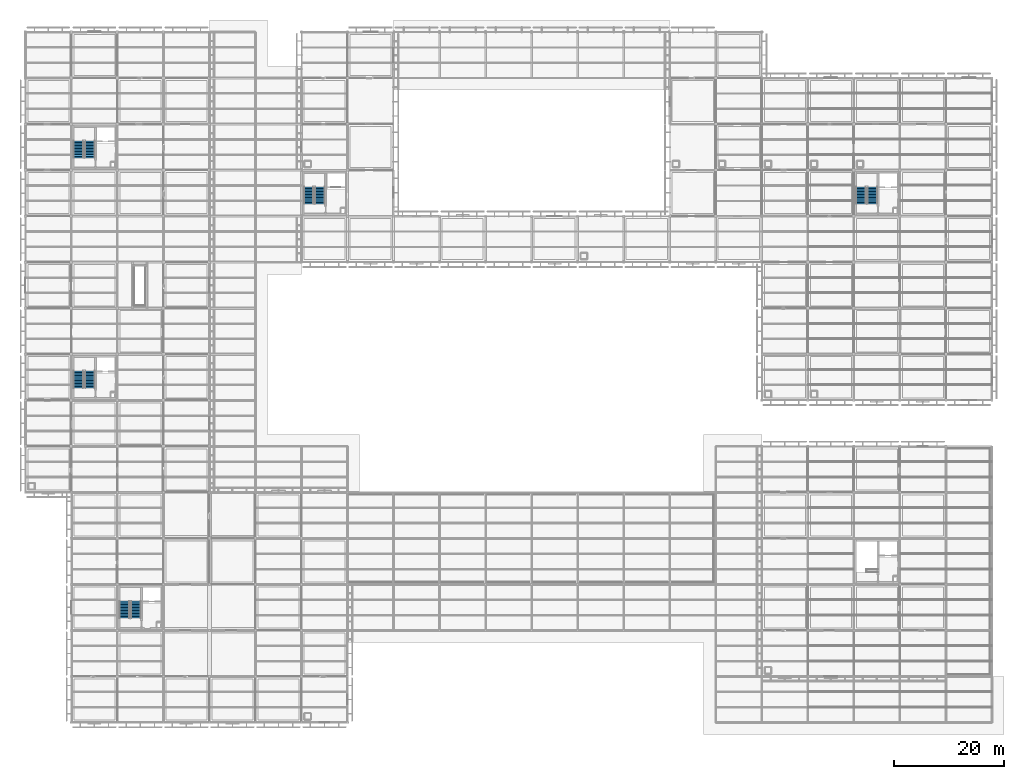
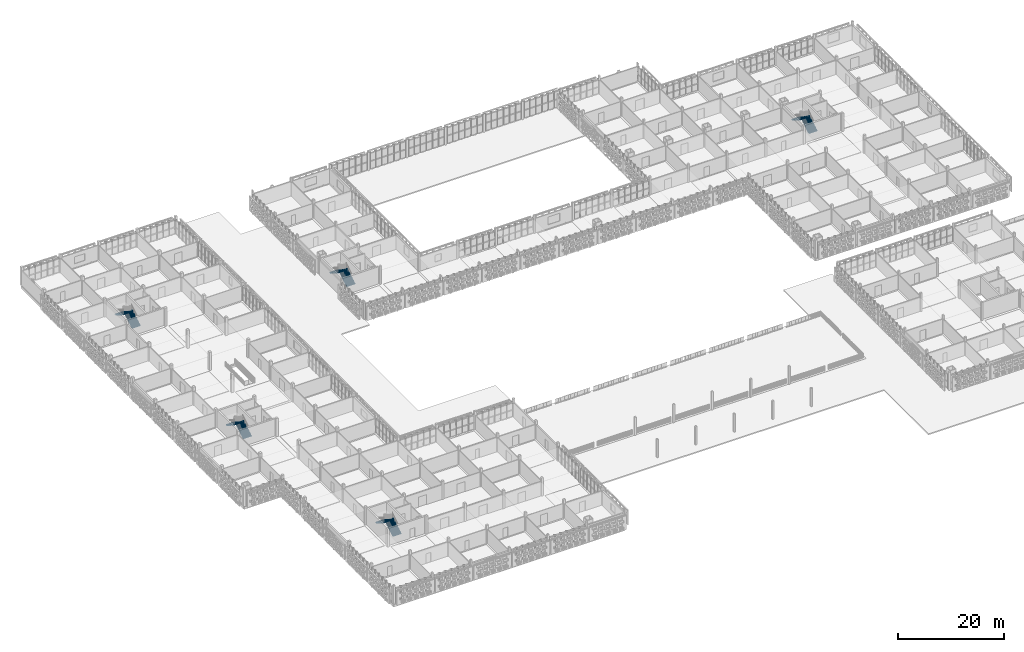
# One storey, part 108 of 166: 10 stair flights, 5 elements without a shape of their own.
"""IFC4 building model written with IfcOpenShell, lengths in metres."""

import ifcopenshell
import ifcopenshell.guid

model = None  # the IFC model being written
_history = None  # IfcOwnerHistory: only IFC2X3 demands one
_inside = {}  # id of a spatial element -> (the spatial element, [elements in it])
_under = {}  # id of a project, library or spatial element -> (it, [spatial elements below it])
_declared = {}  # id of a project -> (the project, [libraries it declares])
_typed = {}  # id of a type object -> (the type object, [elements of that type])
_made_of = {}  # id of a material, layer set ... -> (it, [elements and type objects made of it])


def new_model(schema):
    """Start an empty IFC model of exactly this schema.

    Asked for "IFC4X3", IfcOpenShell would pick the latest addendum, in which some entities
    have other attributes; the version numbers below select the first issue.
    IFC2X3 requires an IfcOwnerHistory on every rooted entity: one is made here for all.
    """
    global model, _history
    if schema == "IFC4X3":
        model = ifcopenshell.file(schema_version=(4, 3, 0, 0))
    else:
        model = ifcopenshell.file(schema=schema)
    _inside.clear()
    _under.clear()
    _declared.clear()
    _typed.clear()
    _made_of.clear()
    _history = None
    if model.schema == "IFC2X3":
        org = make("IfcOrganization", Name="unknown")
        user = make(
            "IfcPersonAndOrganization",
            ThePerson=make("IfcPerson", FamilyName="unknown"),
            TheOrganization=org,
        )
        app = make(
            "IfcApplication",
            ApplicationDeveloper=org,
            Version="unknown",
            ApplicationFullName="unknown",
            ApplicationIdentifier="unknown",
        )
        _history = make(
            "IfcOwnerHistory",
            OwningUser=user,
            OwningApplication=app,
            ChangeAction="ADDED",
            CreationDate=0,
        )
    return model


def make(cls, **values):
    """One entity of the class cls with the attributes given. An attribute that is None is left unset."""
    return model.create_entity(
        cls, **{name: value for name, value in values.items() if value is not None}
    )


def rooted(cls, **values):
    """An entity with a GlobalId (a new one), such as an element, a storey or a relation."""
    return make(cls, GlobalId=ifcopenshell.guid.new(), OwnerHistory=_history, **values)


def si_unit(unit_type, name, prefix=None):
    """IfcSIUnit, for example si_unit("LENGTHUNIT", "METRE", prefix="MILLI")."""
    return make("IfcSIUnit", UnitType=unit_type, Prefix=prefix, Name=name)


def assignment(units):
    """IfcUnitAssignment: the units of a project."""
    return None if units is None else make("IfcUnitAssignment", Units=units)


def point(xyz):
    """IfcCartesianPoint."""
    return None if xyz is None else make("IfcCartesianPoint", Coordinates=xyz)


def direction(xyz):
    """IfcDirection."""
    return None if xyz is None else make("IfcDirection", DirectionRatios=xyz)


def frame(location, z_axis=None, x_axis=None):
    """IfcAxis2Placement3D, a coordinate frame: its origin and axes. An axis left out is left unset."""
    return make(
        "IfcAxis2Placement3D",
        Location=point(location),
        Axis=direction(z_axis),
        RefDirection=direction(x_axis),
    )


def origin():
    """The frame at (0, 0, 0) with its axes left unset."""
    return frame((0.0, 0.0, 0.0))


def place(relative_to, where):
    """IfcLocalPlacement: puts the frame where relative to a parent placement (None: the world)."""
    return make(
        "IfcLocalPlacement", PlacementRelTo=relative_to, RelativePlacement=where
    )


def context(
    kind, dimensions, precision=None, world=None, true_north=None, identifier=None
):
    """IfcGeometricRepresentationContext, for example the 3D "Model" context."""
    return make(
        "IfcGeometricRepresentationContext",
        ContextIdentifier=identifier,
        ContextType=kind,
        CoordinateSpaceDimension=dimensions,
        Precision=precision,
        WorldCoordinateSystem=world,
        TrueNorth=true_north,
    )


def subcontext(parent, identifier, kind, view, scale=None):
    """IfcGeometricRepresentationSubContext, for example "Body" below "Model"."""
    return make(
        "IfcGeometricRepresentationSubContext",
        ContextIdentifier=identifier,
        ContextType=kind,
        ParentContext=parent,
        TargetScale=scale,
        TargetView=view,
    )


def project(units=None, contexts=None):
    """IfcProject with its units and contexts."""
    return rooted(
        "IfcProject",
        Name="project",
        RepresentationContexts=contexts,
        UnitsInContext=assignment(units),
    )


def spatial(cls, under=None, at=None, **own):
    """A site, building, storey or space (cls), placed at a placement, below another one or the project."""
    s = rooted(cls, ObjectPlacement=at, **own)
    if under is not None:
        _under.setdefault(under.id(), (under, []))[1].append(s)
    return s


def polyline(points):
    """IfcPolyline through the points."""
    return make("IfcPolyline", Points=[point(p) for p in points])


def outline(outer, holes=None, kind="AREA"):
    """IfcArbitraryClosedProfileDef: a profile drawn as a closed curve; with holes, ...WithVoids."""
    if holes is None:
        return make("IfcArbitraryClosedProfileDef", ProfileType=kind, OuterCurve=outer)
    return make(
        "IfcArbitraryProfileDefWithVoids",
        ProfileType=kind,
        OuterCurve=outer,
        InnerCurves=holes,
    )


def extrude(swept, where, along, depth):
    """IfcExtrudedAreaSolid: the profile swept, set in the frame where, extruded along a direction by depth."""
    return make(
        "IfcExtrudedAreaSolid",
        SweptArea=swept,
        Position=where,
        ExtrudedDirection=direction(along),
        Depth=depth,
    )


def shape(context_of_items, identifier, shape_type, items):
    """IfcShapeRepresentation: the items that make up one representation, for example the "Body"."""
    return make(
        "IfcShapeRepresentation",
        ContextOfItems=context_of_items,
        RepresentationIdentifier=identifier,
        RepresentationType=shape_type,
        Items=items,
    )


def material(Name=None, Category=None):
    """IfcMaterial."""
    return make("IfcMaterial", Name=Name, Category=Category)


def made_of(thing, what):
    """Note that an element or type object is made of a material, layer set ...; save() writes the relation."""
    if what is not None:
        _made_of.setdefault(what.id(), (what, []))[1].append(thing)
    return thing


def type_object(cls, material=None, **own):
    """A type object (cls), such as IfcWallType, which elements share."""
    return made_of(rooted(cls, **own), material)


def element(
    cls,
    number,
    at=None,
    inside=None,
    cuts=None,
    type_object=None,
    material=None,
    context=None,
    identifier="Body",
    shape_type=None,
    held_by="IfcProductDefinitionShape",
    body=None,
    shapes=None,
    **own,
):
    """One element of the class cls, such as IfcWall. Its Tag is "e" and its number.

    at: its placement. inside: the storey or other place that contains it. cuts: it is an
    opening in that element (IfcRelVoidsElement). A single representation is given by context,
    identifier, shape_type and body (its items); several are given by shapes. held_by: the class
    of the entity that holds the representations. save() writes the other relations.
    """
    e = rooted(cls, Tag="e%d" % number, ObjectPlacement=at, **own)
    if body is not None:
        shapes = [shape(context, identifier, shape_type, body)]
    if shapes is not None:
        e.Representation = make(held_by, Representations=shapes)
    if inside is not None:
        _inside.setdefault(inside.id(), (inside, []))[1].append(e)
    if cuts is not None:
        rooted(
            "IfcRelVoidsElement", RelatingBuildingElement=cuts, RelatedOpeningElement=e
        )
    if type_object is not None:
        _typed.setdefault(type_object.id(), (type_object, []))[1].append(e)
    return made_of(e, material)


def aggregate(whole, parts):
    """IfcRelAggregates: a whole, such as a stair, and the parts it consists of."""
    return rooted("IfcRelAggregates", RelatingObject=whole, RelatedObjects=parts)


def save(model, path):
    """Write the relations noted so far, then the file.

    IfcRelAggregates (storeys below a building ...), IfcRelContainedInSpatialStructure (elements
    in a storey), IfcRelDefinesByType, IfcRelAssociatesMaterial and IfcRelDeclares: one each for
    every whole, place, type object, material and project.
    """
    for whole, parts in _under.values():
        aggregate(whole, parts)
    for where, things in _inside.values():
        rooted(
            "IfcRelContainedInSpatialStructure",
            RelatedElements=things,
            RelatingStructure=where,
        )
    for kind, things in _typed.values():
        rooted("IfcRelDefinesByType", RelatedObjects=things, RelatingType=kind)
    for what, things in _made_of.values():
        rooted("IfcRelAssociatesMaterial", RelatedObjects=things, RelatingMaterial=what)
    for by, libraries in _declared.values():
        rooted("IfcRelDeclares", RelatingContext=by, RelatedDefinitions=libraries)
    model.write(path)


model = new_model("IFC4")

# Units and contexts
model_context = context("Model", 3, precision=1e-05, world=origin(), true_north=direction((0.0, 1.0)))
body_context = subcontext(model_context, "Body", "Model", "MODEL_VIEW")
ifc_project = project(units=[si_unit("LENGTHUNIT", "METRE"), si_unit("AREAUNIT", "SQUARE_METRE"), si_unit("VOLUMEUNIT", "CUBIC_METRE"), si_unit("PLANEANGLEUNIT", "RADIAN"), si_unit("MASSUNIT", "GRAM", prefix="KILO")], contexts=[model_context])

# Site, building, storey
site_placement = place(None, origin())
site = spatial("IfcSite", under=ifc_project, at=site_placement, CompositionType="ELEMENT")
building_placement = place(site_placement, origin())
building = spatial("IfcBuilding", under=site, at=building_placement, Name="Varnapada Polytechnic", CompositionType="ELEMENT")
storey_placement = place(building_placement, frame((0.0, 0.0, 9.60009765625)))
storey = spatial("IfcBuildingStorey", under=building, at=storey_placement, Name="L02", CompositionType="ELEMENT", Elevation=9.60009765625)

# Stair, stair flights
ifc_material = material(Name="Concrete C40/50", Category="concrete")
stair_type_1 = type_object("IfcStairType", Name="Core Exit Stair ST-A", PredefinedType="HALF_TURN_STAIR", material=ifc_material)
stair_1_placement = place(storey_placement, origin())
stair_1 = element("IfcStair", 1, at=stair_1_placement, inside=storey, type_object=stair_type_1, Name="L02 Core C1 Exit Stair", PredefinedType="HALF_TURN_STAIR")
stair_flight_type = type_object("IfcStairFlightType", Name="Stair Flight SFL-01", PredefinedType="STRAIGHT", material=ifc_material)
stair_flight_1_placement = place(storey_placement, frame((11.77490234375, 103.050048828125, 0.0), z_axis=(0.0, 0.0, 1.0), x_axis=(0.0, 1.0, 0.0)))
stair_flight_1 = element("IfcStairFlight", 2, at=stair_flight_1_placement, type_object=stair_flight_type, Name="ST-1 flight 1", NumberOfRisers=12, NumberOfTreads=11, PredefinedType="STRAIGHT", RiserHeight=0.175, TreadLength=0.28, context=body_context, shape_type="SweptSolid", body=[
    extrude(outline(polyline([(0.0, 0.0), (0.0, 0.175048828125), (0.280029296875, 0.175048828125), (0.280029296875, 0.35009765625), (0.56005859375, 0.35009765625), (0.56005859375, 0.52490234375), (0.840087890625, 0.52490234375), (0.840087890625, 0.699951171875), (1.1201171875, 0.699951171875), (1.1201171875, 0.875), (1.39990234375, 0.875), (1.39990234375, 1.050048828125), (1.679931640625, 1.050048828125), (1.679931640625, 1.22509765625), (1.9599609375, 1.22509765625), (1.9599609375, 1.39990234375), (2.239990234375, 1.39990234375), (2.239990234375, 1.574951171875), (2.52001953125, 1.574951171875), (2.52001953125, 1.75), (2.800048828125, 1.75), (2.800048828125, 1.925048828125), (3.080078125, 1.925048828125), (3.080078125, 2.10009765625), (3.080078125, 1.712890625), (0.339599609375, 0.0), (0.0, 0.0)])), frame((0.0, 0.925048828125, 0.0), z_axis=(0.0, -1.0, 0.0), x_axis=(1.0, 0.0, 0.0)), (0.0, 0.0, 1.0), 1.85009765625),
])
stair_flight_2_placement = place(storey_placement, frame((9.72509765625, 106.1298828125, 2.099853515625), z_axis=(0.0, 0.0, 1.0), x_axis=(0.0, -1.0, 0.0)))
stair_flight_2 = element("IfcStairFlight", 3, at=stair_flight_2_placement, type_object=stair_flight_type, Name="ST-1 flight 2", NumberOfRisers=12, NumberOfTreads=11, PredefinedType="STRAIGHT", RiserHeight=0.175, TreadLength=0.28, context=body_context, shape_type="SweptSolid", body=[
    extrude(outline(polyline([(0.0, 0.0), (0.0, 0.175048828125), (0.280029296875, 0.175048828125), (0.280029296875, 0.35009765625), (0.56005859375, 0.35009765625), (0.56005859375, 0.52490234375), (0.840087890625, 0.52490234375), (0.840087890625, 0.699951171875), (1.1201171875, 0.699951171875), (1.1201171875, 0.875), (1.39990234375, 0.875), (1.39990234375, 1.050048828125), (1.679931640625, 1.050048828125), (1.679931640625, 1.22509765625), (1.9599609375, 1.22509765625), (1.9599609375, 1.39990234375), (2.239990234375, 1.39990234375), (2.239990234375, 1.574951171875), (2.52001953125, 1.574951171875), (2.52001953125, 1.75), (2.800048828125, 1.75), (2.800048828125, 1.925048828125), (3.080078125, 1.925048828125), (3.080078125, 2.10009765625), (3.080078125, 1.712890625), (0.339599609375, 0.0), (0.0, 0.0)])), frame((0.0, 0.925048828125, 0.0), z_axis=(0.0, -1.0, 0.0), x_axis=(1.0, 0.0, 0.0)), (0.0, 0.0, 1.0), 1.85009765625),
])
aggregate(stair_1, [stair_flight_1, stair_flight_2])

stair_2_placement = place(storey_placement, origin())
stair_2 = element("IfcStair", 4, at=stair_2_placement, inside=storey, type_object=stair_type_1, Name="L02 Core C2 Exit Stair", PredefinedType="HALF_TURN_STAIR")
stair_flight_3_placement = place(storey_placement, frame((11.77490234375, 61.050048828125, 0.0), z_axis=(0.0, 0.0, 1.0), x_axis=(0.0, 1.0, 0.0)))
stair_flight_3 = element("IfcStairFlight", 5, at=stair_flight_3_placement, type_object=stair_flight_type, Name="ST-2 flight 1", NumberOfRisers=12, NumberOfTreads=11, PredefinedType="STRAIGHT", RiserHeight=0.175, TreadLength=0.28, context=body_context, shape_type="SweptSolid", body=[
    extrude(outline(polyline([(0.0, 0.0), (0.0, 0.175048828125), (0.280029296875, 0.175048828125), (0.280029296875, 0.35009765625), (0.56005859375, 0.35009765625), (0.56005859375, 0.52490234375), (0.840087890625, 0.52490234375), (0.840087890625, 0.699951171875), (1.1201171875, 0.699951171875), (1.1201171875, 0.875), (1.39990234375, 0.875), (1.39990234375, 1.050048828125), (1.679931640625, 1.050048828125), (1.679931640625, 1.22509765625), (1.9599609375, 1.22509765625), (1.9599609375, 1.39990234375), (2.239990234375, 1.39990234375), (2.239990234375, 1.574951171875), (2.52001953125, 1.574951171875), (2.52001953125, 1.75), (2.800048828125, 1.75), (2.800048828125, 1.925048828125), (3.080078125, 1.925048828125), (3.080078125, 2.10009765625), (3.080078125, 1.712890625), (0.339599609375, 0.0), (0.0, 0.0)])), frame((0.0, 0.925048828125, 0.0), z_axis=(0.0, -1.0, 0.0), x_axis=(1.0, 0.0, 0.0)), (0.0, 0.0, 1.0), 1.85009765625),
])
stair_flight_4_placement = place(storey_placement, frame((9.72509765625, 64.1298828125, 2.099853515625), z_axis=(0.0, 0.0, 1.0), x_axis=(0.0, -1.0, 0.0)))
stair_flight_4 = element("IfcStairFlight", 6, at=stair_flight_4_placement, type_object=stair_flight_type, Name="ST-2 flight 2", NumberOfRisers=12, NumberOfTreads=11, PredefinedType="STRAIGHT", RiserHeight=0.175, TreadLength=0.28, context=body_context, shape_type="SweptSolid", body=[
    extrude(outline(polyline([(0.0, 0.0), (0.0, 0.175048828125), (0.280029296875, 0.175048828125), (0.280029296875, 0.35009765625), (0.56005859375, 0.35009765625), (0.56005859375, 0.52490234375), (0.840087890625, 0.52490234375), (0.840087890625, 0.699951171875), (1.1201171875, 0.699951171875), (1.1201171875, 0.875), (1.39990234375, 0.875), (1.39990234375, 1.050048828125), (1.679931640625, 1.050048828125), (1.679931640625, 1.22509765625), (1.9599609375, 1.22509765625), (1.9599609375, 1.39990234375), (2.239990234375, 1.39990234375), (2.239990234375, 1.574951171875), (2.52001953125, 1.574951171875), (2.52001953125, 1.75), (2.800048828125, 1.75), (2.800048828125, 1.925048828125), (3.080078125, 1.925048828125), (3.080078125, 2.10009765625), (3.080078125, 1.712890625), (0.339599609375, 0.0), (0.0, 0.0)])), frame((0.0, 0.925048828125, 0.0), z_axis=(0.0, -1.0, 0.0), x_axis=(1.0, 0.0, 0.0)), (0.0, 0.0, 1.0), 1.85009765625),
])
aggregate(stair_2, [stair_flight_3, stair_flight_4])

stair_3_placement = place(storey_placement, origin())
stair_3 = element("IfcStair", 7, at=stair_3_placement, inside=storey, type_object=stair_type_1, Name="L02 Core C3 Exit Stair", PredefinedType="HALF_TURN_STAIR")
stair_flight_5_placement = place(storey_placement, frame((20.175048828125, 19.050048828125, 0.0), z_axis=(0.0, 0.0, 1.0), x_axis=(0.0, 1.0, 0.0)))
stair_flight_5 = element("IfcStairFlight", 8, at=stair_flight_5_placement, type_object=stair_flight_type, Name="ST-3 flight 1", NumberOfRisers=12, NumberOfTreads=11, PredefinedType="STRAIGHT", RiserHeight=0.175, TreadLength=0.28, context=body_context, shape_type="SweptSolid", body=[
    extrude(outline(polyline([(0.0, 0.0), (0.0, 0.175048828125), (0.280029296875, 0.175048828125), (0.280029296875, 0.35009765625), (0.56005859375, 0.35009765625), (0.56005859375, 0.52490234375), (0.840087890625, 0.52490234375), (0.840087890625, 0.699951171875), (1.1201171875, 0.699951171875), (1.1201171875, 0.875), (1.39990234375, 0.875), (1.39990234375, 1.050048828125), (1.679931640625, 1.050048828125), (1.679931640625, 1.22509765625), (1.9599609375, 1.22509765625), (1.9599609375, 1.39990234375), (2.239990234375, 1.39990234375), (2.239990234375, 1.574951171875), (2.52001953125, 1.574951171875), (2.52001953125, 1.75), (2.800048828125, 1.75), (2.800048828125, 1.925048828125), (3.080078125, 1.925048828125), (3.080078125, 2.10009765625), (3.080078125, 1.712890625), (0.339599609375, 0.0), (0.0, 0.0)])), frame((0.0, 0.925048828125, 0.0), z_axis=(0.0, -1.0, 0.0), x_axis=(1.0, 0.0, 0.0)), (0.0, 0.0, 1.0), 1.85009765625),
])
stair_flight_6_placement = place(storey_placement, frame((18.125, 22.1298828125, 2.099853515625), z_axis=(0.0, 0.0, 1.0), x_axis=(0.0, -1.0, 0.0)))
stair_flight_6 = element("IfcStairFlight", 9, at=stair_flight_6_placement, type_object=stair_flight_type, Name="ST-3 flight 2", NumberOfRisers=12, NumberOfTreads=11, PredefinedType="STRAIGHT", RiserHeight=0.175, TreadLength=0.28, context=body_context, shape_type="SweptSolid", body=[
    extrude(outline(polyline([(0.0, 0.0), (0.0, 0.175048828125), (0.280029296875, 0.175048828125), (0.280029296875, 0.35009765625), (0.56005859375, 0.35009765625), (0.56005859375, 0.52490234375), (0.840087890625, 0.52490234375), (0.840087890625, 0.699951171875), (1.1201171875, 0.699951171875), (1.1201171875, 0.875), (1.39990234375, 0.875), (1.39990234375, 1.050048828125), (1.679931640625, 1.050048828125), (1.679931640625, 1.22509765625), (1.9599609375, 1.22509765625), (1.9599609375, 1.39990234375), (2.239990234375, 1.39990234375), (2.239990234375, 1.574951171875), (2.52001953125, 1.574951171875), (2.52001953125, 1.75), (2.800048828125, 1.75), (2.800048828125, 1.925048828125), (3.080078125, 1.925048828125), (3.080078125, 2.10009765625), (3.080078125, 1.712890625), (0.339599609375, 0.0), (0.0, 0.0)])), frame((0.0, 0.925048828125, 0.0), z_axis=(0.0, -1.0, 0.0), x_axis=(1.0, 0.0, 0.0)), (0.0, 0.0, 1.0), 1.85009765625),
])
aggregate(stair_3, [stair_flight_5, stair_flight_6])

stair_type_2 = type_object("IfcStairType", Name="Core Exit Stair ST-B", PredefinedType="HALF_TURN_STAIR", material=ifc_material)
stair_4_placement = place(storey_placement, origin())
stair_4 = element("IfcStair", 10, at=stair_4_placement, inside=storey, type_object=stair_type_2, Name="L02 Core C4 Exit Stair", PredefinedType="HALF_TURN_STAIR")
stair_flight_7_placement = place(storey_placement, frame((53.77490234375, 94.64990234375, 0.0), z_axis=(0.0, 0.0, 1.0), x_axis=(0.0, 1.0, 0.0)))
stair_flight_7 = element("IfcStairFlight", 11, at=stair_flight_7_placement, type_object=stair_flight_type, Name="ST-4 flight 1", NumberOfRisers=12, NumberOfTreads=11, PredefinedType="STRAIGHT", RiserHeight=0.175, TreadLength=0.28, context=body_context, shape_type="SweptSolid", body=[
    extrude(outline(polyline([(0.0, 0.0), (0.0, 0.175048828125), (0.280029296875, 0.175048828125), (0.280029296875, 0.35009765625), (0.56005859375, 0.35009765625), (0.56005859375, 0.52490234375), (0.840087890625, 0.52490234375), (0.840087890625, 0.699951171875), (1.1201171875, 0.699951171875), (1.1201171875, 0.875), (1.39990234375, 0.875), (1.39990234375, 1.050048828125), (1.679931640625, 1.050048828125), (1.679931640625, 1.22509765625), (1.9599609375, 1.22509765625), (1.9599609375, 1.39990234375), (2.239990234375, 1.39990234375), (2.239990234375, 1.574951171875), (2.52001953125, 1.574951171875), (2.52001953125, 1.75), (2.800048828125, 1.75), (2.800048828125, 1.925048828125), (3.080078125, 1.925048828125), (3.080078125, 2.10009765625), (3.080078125, 1.712890625), (0.339599609375, 0.0), (0.0, 0.0)])), frame((0.0, 0.925048828125, 0.0), z_axis=(0.0, -1.0, 0.0), x_axis=(1.0, 0.0, 0.0)), (0.0, 0.0, 1.0), 1.85009765625),
])
stair_flight_8_placement = place(storey_placement, frame((51.72509765625, 97.72998046875, 2.099853515625), z_axis=(0.0, 0.0, 1.0), x_axis=(0.0, -1.0, 0.0)))
stair_flight_8 = element("IfcStairFlight", 12, at=stair_flight_8_placement, type_object=stair_flight_type, Name="ST-4 flight 2", NumberOfRisers=12, NumberOfTreads=11, PredefinedType="STRAIGHT", RiserHeight=0.175, TreadLength=0.28, context=body_context, shape_type="SweptSolid", body=[
    extrude(outline(polyline([(0.0, 0.0), (0.0, 0.175048828125), (0.280029296875, 0.175048828125), (0.280029296875, 0.35009765625), (0.56005859375, 0.35009765625), (0.56005859375, 0.52490234375), (0.840087890625, 0.52490234375), (0.840087890625, 0.699951171875), (1.1201171875, 0.699951171875), (1.1201171875, 0.875), (1.39990234375, 0.875), (1.39990234375, 1.050048828125), (1.679931640625, 1.050048828125), (1.679931640625, 1.22509765625), (1.9599609375, 1.22509765625), (1.9599609375, 1.39990234375), (2.239990234375, 1.39990234375), (2.239990234375, 1.574951171875), (2.52001953125, 1.574951171875), (2.52001953125, 1.75), (2.800048828125, 1.75), (2.800048828125, 1.925048828125), (3.080078125, 1.925048828125), (3.080078125, 2.10009765625), (3.080078125, 1.712890625), (0.339599609375, 0.0), (0.0, 0.0)])), frame((0.0, 0.925048828125, 0.0), z_axis=(0.0, -1.0, 0.0), x_axis=(1.0, 0.0, 0.0)), (0.0, 0.0, 1.0), 1.85009765625),
])
aggregate(stair_4, [stair_flight_7, stair_flight_8])

stair_5_placement = place(storey_placement, origin())
stair_5 = element("IfcStair", 13, at=stair_5_placement, inside=storey, type_object=stair_type_2, Name="L02 Core C5 Exit Stair", PredefinedType="HALF_TURN_STAIR")
stair_flight_9_placement = place(storey_placement, frame((154.574951171875, 94.64990234375, 0.0), z_axis=(0.0, 0.0, 1.0), x_axis=(0.0, 1.0, 0.0)))
stair_flight_9 = element("IfcStairFlight", 14, at=stair_flight_9_placement, type_object=stair_flight_type, Name="ST-5 flight 1", NumberOfRisers=12, NumberOfTreads=11, PredefinedType="STRAIGHT", RiserHeight=0.175, TreadLength=0.28, context=body_context, shape_type="SweptSolid", body=[
    extrude(outline(polyline([(0.0, 0.0), (0.0, 0.175048828125), (0.280029296875, 0.175048828125), (0.280029296875, 0.35009765625), (0.56005859375, 0.35009765625), (0.56005859375, 0.52490234375), (0.840087890625, 0.52490234375), (0.840087890625, 0.699951171875), (1.1201171875, 0.699951171875), (1.1201171875, 0.875), (1.39990234375, 0.875), (1.39990234375, 1.050048828125), (1.679931640625, 1.050048828125), (1.679931640625, 1.22509765625), (1.9599609375, 1.22509765625), (1.9599609375, 1.39990234375), (2.239990234375, 1.39990234375), (2.239990234375, 1.574951171875), (2.52001953125, 1.574951171875), (2.52001953125, 1.75), (2.800048828125, 1.75), (2.800048828125, 1.925048828125), (3.080078125, 1.925048828125), (3.080078125, 2.10009765625), (3.080078125, 1.712890625), (0.339599609375, 0.0), (0.0, 0.0)])), frame((0.0, 0.925048828125, 0.0), z_axis=(0.0, -1.0, 0.0), x_axis=(1.0, 0.0, 0.0)), (0.0, 0.0, 1.0), 1.85009765625),
])
stair_flight_10_placement = place(storey_placement, frame((152.52490234375, 97.72998046875, 2.099853515625), z_axis=(0.0, 0.0, 1.0), x_axis=(0.0, -1.0, 0.0)))
stair_flight_10 = element("IfcStairFlight", 15, at=stair_flight_10_placement, type_object=stair_flight_type, Name="ST-5 flight 2", NumberOfRisers=12, NumberOfTreads=11, PredefinedType="STRAIGHT", RiserHeight=0.175, TreadLength=0.28, context=body_context, shape_type="SweptSolid", body=[
    extrude(outline(polyline([(0.0, 0.0), (0.0, 0.175048828125), (0.280029296875, 0.175048828125), (0.280029296875, 0.35009765625), (0.56005859375, 0.35009765625), (0.56005859375, 0.52490234375), (0.840087890625, 0.52490234375), (0.840087890625, 0.699951171875), (1.1201171875, 0.699951171875), (1.1201171875, 0.875), (1.39990234375, 0.875), (1.39990234375, 1.050048828125), (1.679931640625, 1.050048828125), (1.679931640625, 1.22509765625), (1.9599609375, 1.22509765625), (1.9599609375, 1.39990234375), (2.239990234375, 1.39990234375), (2.239990234375, 1.574951171875), (2.52001953125, 1.574951171875), (2.52001953125, 1.75), (2.800048828125, 1.75), (2.800048828125, 1.925048828125), (3.080078125, 1.925048828125), (3.080078125, 2.10009765625), (3.080078125, 1.712890625), (0.339599609375, 0.0), (0.0, 0.0)])), frame((0.0, 0.925048828125, 0.0), z_axis=(0.0, -1.0, 0.0), x_axis=(1.0, 0.0, 0.0)), (0.0, 0.0, 1.0), 1.85009765625),
])
aggregate(stair_5, [stair_flight_9, stair_flight_10])

save(model, "model.ifc")
